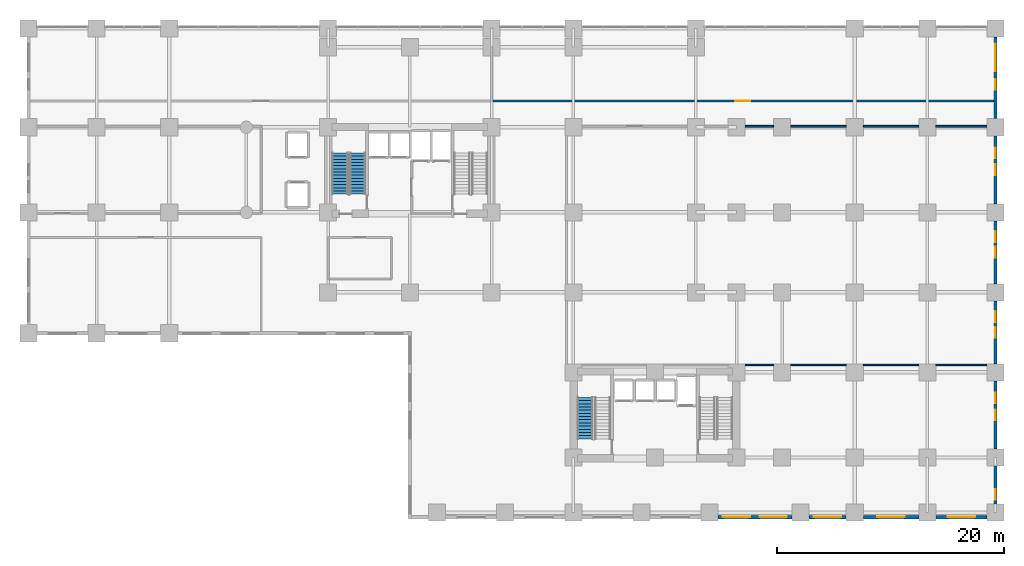
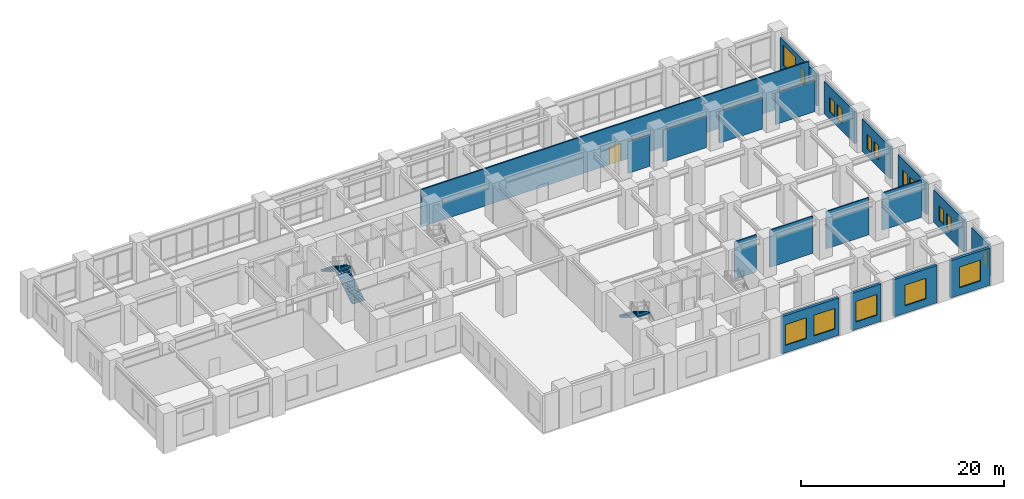
# One storey, part 18 of 22: 19 walls, 16 windows, 3 stair flights, 1 door, 17 openings, 2 elements without a shape of their own.
"""IFC4 building model written with IfcOpenShell, lengths in metres."""

from ifc_helpers import new_model, si_unit, direction, frame, frame_2d, origin, place, context, subcontext, project, spatial, polyline, rectangle, outline, extrude, material, layer, layer_set, type_object, element, fill, aggregate, save


model = new_model("IFC4")

# Units and contexts
model_context = context("Model", 3, precision=1e-05, world=origin(), true_north=direction((0.0, 1.0)))
body_context = subcontext(model_context, "Body", "Model", "MODEL_VIEW")
ifc_project = project(units=[si_unit("LENGTHUNIT", "METRE"), si_unit("AREAUNIT", "SQUARE_METRE"), si_unit("VOLUMEUNIT", "CUBIC_METRE"), si_unit("PLANEANGLEUNIT", "RADIAN"), si_unit("MASSUNIT", "GRAM", prefix="KILO")], contexts=[model_context])

# Site, building, storey
site_placement = place(None, origin())
site = spatial("IfcSite", under=ifc_project, at=site_placement, CompositionType="ELEMENT")
building_placement = place(site_placement, origin())
building = spatial("IfcBuilding", under=site, at=building_placement, Name="Kaliganga Portal Commons", CompositionType="ELEMENT")
storey_placement = place(building_placement, frame((0.0, 0.0, 10.199951171875)))
storey = spatial("IfcBuildingStorey", under=building, at=storey_placement, Name="L02", CompositionType="ELEMENT", Elevation=10.199951171875)

# Wall, openings, windows
ifc_material_1 = material(Name="Precast concrete C40/50", Category="concrete")
ifc_layer_1 = layer(ifc_material_1, 0.300048828125)
ifc_layer_set_1 = layer_set([ifc_layer_1], Name="Precast concrete C40/50")
wall_type_1 = type_object("IfcWallType", Name="WL-EXT-POD-300", PredefinedType="STANDARD", material=ifc_layer_set_1)
wall_1_placement = place(storey_placement, frame((55.2490234375, 1.800048828125, 0.0), z_axis=(0.0, 0.0, 1.0), x_axis=(-1.0, 0.0, 0.0)))
wall_1 = element("IfcWall", 1, at=wall_1_placement, inside=storey, type_object=wall_type_1, Name="Exterior Envelope Wall L02 P1-E00-S6", PredefinedType="STANDARD", context=body_context, shape_type="SweptSolid", body=[
    extrude(rectangle(XDim=6.498046875, YDim=0.300048828125, at=frame_2d((3.2490234375, 0.0))), origin(), (0.0, 0.0, 1.0), 4.5),
])
opening_1_placement = place(wall_1_placement, frame((0.424560546875, 0.0, 0.89990234375)))
opening_1 = element("IfcOpeningElement", 2, at=opening_1_placement, cuts=wall_1, Name="Opening W-05", PredefinedType="OPENING", context=body_context, shape_type="SweptSolid", body=[
    extrude(rectangle(XDim=2.39990234375, YDim=2.5, at=frame_2d((1.199951171875, 1.25))), frame((0.0, 0.16015625, 0.0), z_axis=(0.0, -1.0, 0.0), x_axis=(1.0, 0.0, 0.0)), (0.0, 0.0, 1.0), 0.320068359375),
])
opening_2_placement = place(wall_1_placement, frame((3.673583984375, 0.0, 0.89990234375)))
opening_2 = element("IfcOpeningElement", 3, at=opening_2_placement, cuts=wall_1, Name="Opening W-05", PredefinedType="OPENING", context=body_context, shape_type="SweptSolid", body=[
    extrude(rectangle(XDim=2.39990234375, YDim=2.5, at=frame_2d((1.199951171875, 1.25))), frame((0.0, 0.16015625, 0.0), z_axis=(0.0, -1.0, 0.0), x_axis=(1.0, 0.0, 0.0)), (0.0, 0.0, 1.0), 0.320068359375),
])
ifc_material_2 = material(Name="Thermally Broken Aluminium and Low-E Double Glazing", Category="aluminium")
window_type_1 = type_object("IfcWindowType", Name="WIN-POD-2400", PartitioningType="TRIPLE_PANEL_VERTICAL", PredefinedType="WINDOW", material=ifc_material_2)
window_1_placement = place(opening_1_placement, origin())
window_1 = element("IfcWindow", 4, at=window_1_placement, inside=storey, type_object=window_type_1, Name="Facade Window L02-P1E00S6-00", OverallHeight=2.5, OverallWidth=2.39990234375, PartitioningType="SINGLE_PANEL", PredefinedType="WINDOW", context=body_context, shape_type="SweptSolid", body=[
    extrude(rectangle(XDim=2.39990234375, YDim=2.5, at=frame_2d((1.199951171875, 1.25))), frame((0.0, 0.030029296875, 0.0), z_axis=(0.0, -1.0, 0.0), x_axis=(1.0, 0.0, 0.0)), (0.0, 0.0, 1.0), 0.06005859375),
])
fill(opening_1, window_1)
window_2_placement = place(opening_2_placement, origin())
window_2 = element("IfcWindow", 5, at=window_2_placement, inside=storey, type_object=window_type_1, Name="Facade Window L02-P1E00S6-01", OverallHeight=2.5, OverallWidth=2.39990234375, PartitioningType="SINGLE_PANEL", PredefinedType="WINDOW", context=body_context, shape_type="SweptSolid", body=[
    extrude(rectangle(XDim=2.39990234375, YDim=2.5, at=frame_2d((1.199951171875, 1.25))), frame((0.0, 0.030029296875, 0.0), z_axis=(0.0, -1.0, 0.0), x_axis=(1.0, 0.0, 0.0)), (0.0, 0.0, 1.0), 0.06005859375),
])
fill(opening_2, window_2)

# Wall, opening, window
wall_2_placement = place(storey_placement, frame((60.049072265625, 1.800048828125, 0.0), z_axis=(0.0, 0.0, 1.0), x_axis=(-1.0, 0.0, 0.0)))
wall_2 = element("IfcWall", 6, at=wall_2_placement, inside=storey, type_object=wall_type_1, Name="Exterior Envelope Wall L02 P1-E00-S7", PredefinedType="STANDARD", context=body_context, shape_type="SweptSolid", body=[
    extrude(rectangle(XDim=3.298095703125, YDim=0.300048828125, at=frame_2d((1.64892578125, 0.0))), origin(), (0.0, 0.0, 1.0), 4.5),
])
opening_3_placement = place(wall_2_placement, frame((0.448974609375, 0.0, 0.89990234375)))
opening_3 = element("IfcOpeningElement", 7, at=opening_3_placement, cuts=wall_2, Name="Opening W-05", PredefinedType="OPENING", context=body_context, shape_type="SweptSolid", body=[
    extrude(rectangle(XDim=2.39990234375, YDim=2.5, at=frame_2d((1.199951171875, 1.25))), frame((0.0, 0.16015625, 0.0), z_axis=(0.0, -1.0, 0.0), x_axis=(1.0, 0.0, 0.0)), (0.0, 0.0, 1.0), 0.320068359375),
])
window_3_placement = place(opening_3_placement, origin())
window_3 = element("IfcWindow", 8, at=window_3_placement, inside=storey, type_object=window_type_1, Name="Facade Window L02-P1E00S7-00", OverallHeight=2.5, OverallWidth=2.39990234375, PartitioningType="SINGLE_PANEL", PredefinedType="WINDOW", context=body_context, shape_type="SweptSolid", body=[
    extrude(rectangle(XDim=2.39990234375, YDim=2.5, at=frame_2d((1.199951171875, 1.25))), frame((0.0, 0.030029296875, 0.0), z_axis=(0.0, -1.0, 0.0), x_axis=(1.0, 0.0, 0.0)), (0.0, 0.0, 1.0), 0.06005859375),
])
fill(opening_3, window_3)

wall_3_placement = place(storey_placement, frame((66.448974609375, 1.800048828125, 0.0), z_axis=(0.0, 0.0, 1.0), x_axis=(-1.0, 0.0, 0.0)))
wall_3 = element("IfcWall", 9, at=wall_3_placement, inside=storey, type_object=wall_type_1, Name="Exterior Envelope Wall L02 P1-E00-S8", PredefinedType="STANDARD", context=body_context, shape_type="SweptSolid", body=[
    extrude(rectangle(XDim=4.89794921875, YDim=0.300048828125, at=frame_2d((2.448974609375, 0.0))), origin(), (0.0, 0.0, 1.0), 4.5),
])
opening_4_placement = place(wall_3_placement, frame((1.2490234375, 0.0, 0.89990234375)))
opening_4 = element("IfcOpeningElement", 10, at=opening_4_placement, cuts=wall_3, Name="Opening W-05", PredefinedType="OPENING", context=body_context, shape_type="SweptSolid", body=[
    extrude(rectangle(XDim=2.39990234375, YDim=2.5, at=frame_2d((1.199951171875, 1.25))), frame((0.0, 0.16015625, 0.0), z_axis=(0.0, -1.0, 0.0), x_axis=(1.0, 0.0, 0.0)), (0.0, 0.0, 1.0), 0.320068359375),
])
window_4_placement = place(opening_4_placement, origin())
window_4 = element("IfcWindow", 11, at=window_4_placement, inside=storey, type_object=window_type_1, Name="Facade Window L02-P1E00S8-00", OverallHeight=2.5, OverallWidth=2.39990234375, PartitioningType="SINGLE_PANEL", PredefinedType="WINDOW", context=body_context, shape_type="SweptSolid", body=[
    extrude(rectangle(XDim=2.39990234375, YDim=2.5, at=frame_2d((1.199951171875, 1.25))), frame((0.0, 0.030029296875, 0.0), z_axis=(0.0, -1.0, 0.0), x_axis=(1.0, 0.0, 0.0)), (0.0, 0.0, 1.0), 0.06005859375),
])
fill(opening_4, window_4)

wall_4_placement = place(storey_placement, frame((72.448974609375, 1.800048828125, 0.0), z_axis=(0.0, 0.0, 1.0), x_axis=(-1.0, 0.0, 0.0)))
wall_4 = element("IfcWall", 12, at=wall_4_placement, inside=storey, type_object=wall_type_1, Name="Exterior Envelope Wall L02 P1-E00-S9", PredefinedType="STANDARD", context=body_context, shape_type="SweptSolid", body=[
    extrude(rectangle(XDim=4.498046875, YDim=0.300048828125, at=frame_2d((2.2490234375, 0.0))), origin(), (0.0, 0.0, 1.0), 4.5),
])
opening_5_placement = place(wall_4_placement, frame((1.049072265625, 0.0, 0.89990234375)))
opening_5 = element("IfcOpeningElement", 13, at=opening_5_placement, cuts=wall_4, Name="Opening W-05", PredefinedType="OPENING", context=body_context, shape_type="SweptSolid", body=[
    extrude(rectangle(XDim=2.39990234375, YDim=2.5, at=frame_2d((1.199951171875, 1.25))), frame((0.0, 0.16015625, 0.0), z_axis=(0.0, -1.0, 0.0), x_axis=(1.0, 0.0, 0.0)), (0.0, 0.0, 1.0), 0.320068359375),
])
window_5_placement = place(opening_5_placement, origin())
window_5 = element("IfcWindow", 14, at=window_5_placement, inside=storey, type_object=window_type_1, Name="Facade Window L02-P1E00S9-00", OverallHeight=2.5, OverallWidth=2.39990234375, PartitioningType="SINGLE_PANEL", PredefinedType="WINDOW", context=body_context, shape_type="SweptSolid", body=[
    extrude(rectangle(XDim=2.39990234375, YDim=2.5, at=frame_2d((1.199951171875, 1.25))), frame((0.0, 0.030029296875, 0.0), z_axis=(0.0, -1.0, 0.0), x_axis=(1.0, 0.0, 0.0)), (0.0, 0.0, 1.0), 0.06005859375),
])
fill(opening_5, window_5)

wall_5_placement = place(storey_placement, frame((73.199951171875, 6.299072265625, 0.0), z_axis=(0.0, 0.0, 1.0), x_axis=(0.0, -1.0, 0.0)))
wall_5 = element("IfcWall", 15, at=wall_5_placement, inside=storey, type_object=wall_type_1, Name="Exterior Envelope Wall L02 P1-E01-S1", PredefinedType="STANDARD", context=body_context, shape_type="SweptSolid", body=[
    extrude(rectangle(XDim=3.34814453125, YDim=0.300048828125, at=frame_2d((1.674072265625, 0.0))), origin(), (0.0, 0.0, 1.0), 3.900146484375),
])
opening_6_placement = place(wall_5_placement, frame((2.029296875, 0.0, 0.89990234375)))
opening_6 = element("IfcOpeningElement", 16, at=opening_6_placement, cuts=wall_5, Name="Opening W-04", PredefinedType="OPENING", context=body_context, shape_type="SweptSolid", body=[
    extrude(rectangle(XDim=0.949951171875, YDim=1.75, at=frame_2d((0.47509765625, 0.875))), frame((0.0, 0.16015625, 0.0), z_axis=(0.0, -1.0, 0.0), x_axis=(1.0, 0.0, 0.0)), (0.0, 0.0, 1.0), 0.320068359375),
])
window_type_2 = type_object("IfcWindowType", Name="WIN-NARROW-950", PartitioningType="SINGLE_PANEL", PredefinedType="WINDOW", material=ifc_material_2)
window_6_placement = place(opening_6_placement, origin())
window_6 = element("IfcWindow", 17, at=window_6_placement, inside=storey, type_object=window_type_2, Name="Facade Window L02-P1E01S1-N2", OverallHeight=1.75, OverallWidth=0.949951171875, PartitioningType="SINGLE_PANEL", PredefinedType="WINDOW", context=body_context, shape_type="SweptSolid", body=[
    extrude(rectangle(XDim=0.949951171875, YDim=1.75, at=frame_2d((0.47509765625, 0.875))), frame((0.0, 0.030029296875, 0.0), z_axis=(0.0, -1.0, 0.0), x_axis=(1.0, 0.0, 0.0)), (0.0, 0.0, 1.0), 0.06005859375),
])
fill(opening_6, window_6)

# Wall, openings, windows
wall_6_placement = place(storey_placement, frame((73.199951171875, 13.799072265625, 0.0), z_axis=(0.0, 0.0, 1.0), x_axis=(0.0, -1.0, 0.0)))
wall_6 = element("IfcWall", 18, at=wall_6_placement, inside=storey, type_object=wall_type_1, Name="Exterior Envelope Wall L02 P1-E01-S2", PredefinedType="STANDARD", context=body_context, shape_type="SweptSolid", body=[
    extrude(rectangle(XDim=5.998046875, YDim=0.300048828125, at=frame_2d((2.9990234375, 0.0))), origin(), (0.0, 0.0, 1.0), 3.900146484375),
])
opening_7_placement = place(wall_6_placement, frame((2.52392578125, 0.0, 0.89990234375)))
opening_7 = element("IfcOpeningElement", 19, at=opening_7_placement, cuts=wall_6, Name="Opening W-04", PredefinedType="OPENING", context=body_context, shape_type="SweptSolid", body=[
    extrude(rectangle(XDim=0.949951171875, YDim=1.75, at=frame_2d((0.47509765625, 0.875))), frame((0.0, 0.16015625, 0.0), z_axis=(0.0, -1.0, 0.0), x_axis=(1.0, 0.0, 0.0)), (0.0, 0.0, 1.0), 0.320068359375),
])
opening_8_placement = place(wall_6_placement, frame((1.03662109375, 0.0, 0.89990234375)))
opening_8 = element("IfcOpeningElement", 20, at=opening_8_placement, cuts=wall_6, Name="Opening W-04", PredefinedType="OPENING", context=body_context, shape_type="SweptSolid", body=[
    extrude(rectangle(XDim=0.949951171875, YDim=1.75, at=frame_2d((0.47509765625, 0.875))), frame((0.0, 0.16015625, 0.0), z_axis=(0.0, -1.0, 0.0), x_axis=(1.0, 0.0, 0.0)), (0.0, 0.0, 1.0), 0.320068359375),
])
window_7_placement = place(opening_7_placement, origin())
window_7 = element("IfcWindow", 21, at=window_7_placement, inside=storey, type_object=window_type_2, Name="Facade Window L02-P1E01S2-N0", OverallHeight=1.75, OverallWidth=0.949951171875, PartitioningType="SINGLE_PANEL", PredefinedType="WINDOW", context=body_context, shape_type="SweptSolid", body=[
    extrude(rectangle(XDim=0.949951171875, YDim=1.75, at=frame_2d((0.47509765625, 0.875))), frame((0.0, 0.030029296875, 0.0), z_axis=(0.0, -1.0, 0.0), x_axis=(1.0, 0.0, 0.0)), (0.0, 0.0, 1.0), 0.06005859375),
])
fill(opening_7, window_7)
window_8_placement = place(opening_8_placement, origin())
window_8 = element("IfcWindow", 22, at=window_8_placement, inside=storey, type_object=window_type_2, Name="Facade Window L02-P1E01S2-N1", OverallHeight=1.75, OverallWidth=0.949951171875, PartitioningType="SINGLE_PANEL", PredefinedType="WINDOW", context=body_context, shape_type="SweptSolid", body=[
    extrude(rectangle(XDim=0.949951171875, YDim=1.75, at=frame_2d((0.47509765625, 0.875))), frame((0.0, 0.030029296875, 0.0), z_axis=(0.0, -1.0, 0.0), x_axis=(1.0, 0.0, 0.0)), (0.0, 0.0, 1.0), 0.06005859375),
])
fill(opening_8, window_8)

wall_7_placement = place(storey_placement, frame((73.199951171875, 20.84912109375, 0.0), z_axis=(0.0, 0.0, 1.0), x_axis=(0.0, -1.0, 0.0)))
wall_7 = element("IfcWall", 23, at=wall_7_placement, inside=storey, type_object=wall_type_1, Name="Exterior Envelope Wall L02 P1-E01-S3", PredefinedType="STANDARD", context=body_context, shape_type="SweptSolid", body=[
    extrude(rectangle(XDim=5.548095703125, YDim=0.300048828125, at=frame_2d((2.77392578125, 0.0))), origin(), (0.0, 0.0, 1.0), 3.900146484375),
])
opening_9_placement = place(wall_7_placement, frame((2.299072265625, 0.0, 0.89990234375)))
opening_9 = element("IfcOpeningElement", 24, at=opening_9_placement, cuts=wall_7, Name="Opening W-04", PredefinedType="OPENING", context=body_context, shape_type="SweptSolid", body=[
    extrude(rectangle(XDim=0.949951171875, YDim=1.75, at=frame_2d((0.47509765625, 0.875))), frame((0.0, 0.16015625, 0.0), z_axis=(0.0, -1.0, 0.0), x_axis=(1.0, 0.0, 0.0)), (0.0, 0.0, 1.0), 0.320068359375),
])
opening_10_placement = place(wall_7_placement, frame((0.923095703125, 0.0, 0.89990234375)))
opening_10 = element("IfcOpeningElement", 25, at=opening_10_placement, cuts=wall_7, Name="Opening W-04", PredefinedType="OPENING", context=body_context, shape_type="SweptSolid", body=[
    extrude(rectangle(XDim=0.949951171875, YDim=1.75, at=frame_2d((0.47509765625, 0.875))), frame((0.0, 0.16015625, 0.0), z_axis=(0.0, -1.0, 0.0), x_axis=(1.0, 0.0, 0.0)), (0.0, 0.0, 1.0), 0.320068359375),
])
window_9_placement = place(opening_9_placement, origin())
window_9 = element("IfcWindow", 26, at=window_9_placement, inside=storey, type_object=window_type_2, Name="Facade Window L02-P1E01S3-N0", OverallHeight=1.75, OverallWidth=0.949951171875, PartitioningType="SINGLE_PANEL", PredefinedType="WINDOW", context=body_context, shape_type="SweptSolid", body=[
    extrude(rectangle(XDim=0.949951171875, YDim=1.75, at=frame_2d((0.47509765625, 0.875))), frame((0.0, 0.030029296875, 0.0), z_axis=(0.0, -1.0, 0.0), x_axis=(1.0, 0.0, 0.0)), (0.0, 0.0, 1.0), 0.06005859375),
])
fill(opening_9, window_9)
window_10_placement = place(opening_10_placement, origin())
window_10 = element("IfcWindow", 27, at=window_10_placement, inside=storey, type_object=window_type_2, Name="Facade Window L02-P1E01S3-N1", OverallHeight=1.75, OverallWidth=0.949951171875, PartitioningType="SINGLE_PANEL", PredefinedType="WINDOW", context=body_context, shape_type="SweptSolid", body=[
    extrude(rectangle(XDim=0.949951171875, YDim=1.75, at=frame_2d((0.47509765625, 0.875))), frame((0.0, 0.030029296875, 0.0), z_axis=(0.0, -1.0, 0.0), x_axis=(1.0, 0.0, 0.0)), (0.0, 0.0, 1.0), 0.06005859375),
])
fill(opening_10, window_10)

wall_8_placement = place(storey_placement, frame((73.199951171875, 27.89892578125, 0.0), z_axis=(0.0, 0.0, 1.0), x_axis=(0.0, -1.0, 0.0)))
wall_8 = element("IfcWall", 28, at=wall_8_placement, inside=storey, type_object=wall_type_1, Name="Exterior Envelope Wall L02 P1-E01-S4", PredefinedType="STANDARD", context=body_context, shape_type="SweptSolid", body=[
    extrude(rectangle(XDim=5.5478515625, YDim=0.300048828125, at=frame_2d((2.77392578125, 0.0))), origin(), (0.0, 0.0, 1.0), 3.900146484375),
])
opening_11_placement = place(wall_8_placement, frame((2.299072265625, 0.0, 0.89990234375)))
opening_11 = element("IfcOpeningElement", 29, at=opening_11_placement, cuts=wall_8, Name="Opening W-04", PredefinedType="OPENING", context=body_context, shape_type="SweptSolid", body=[
    extrude(rectangle(XDim=0.949951171875, YDim=1.75, at=frame_2d((0.47509765625, 0.875))), frame((0.0, 0.16015625, 0.0), z_axis=(0.0, -1.0, 0.0), x_axis=(1.0, 0.0, 0.0)), (0.0, 0.0, 1.0), 0.320068359375),
])
opening_12_placement = place(wall_8_placement, frame((0.923095703125, 0.0, 0.89990234375)))
opening_12 = element("IfcOpeningElement", 30, at=opening_12_placement, cuts=wall_8, Name="Opening W-04", PredefinedType="OPENING", context=body_context, shape_type="SweptSolid", body=[
    extrude(rectangle(XDim=0.949951171875, YDim=1.75, at=frame_2d((0.47509765625, 0.875))), frame((0.0, 0.16015625, 0.0), z_axis=(0.0, -1.0, 0.0), x_axis=(1.0, 0.0, 0.0)), (0.0, 0.0, 1.0), 0.320068359375),
])
window_11_placement = place(opening_11_placement, origin())
window_11 = element("IfcWindow", 31, at=window_11_placement, inside=storey, type_object=window_type_2, Name="Facade Window L02-P1E01S4-N0", OverallHeight=1.75, OverallWidth=0.949951171875, PartitioningType="SINGLE_PANEL", PredefinedType="WINDOW", context=body_context, shape_type="SweptSolid", body=[
    extrude(rectangle(XDim=0.949951171875, YDim=1.75, at=frame_2d((0.47509765625, 0.875))), frame((0.0, 0.030029296875, 0.0), z_axis=(0.0, -1.0, 0.0), x_axis=(1.0, 0.0, 0.0)), (0.0, 0.0, 1.0), 0.06005859375),
])
fill(opening_11, window_11)
window_12_placement = place(opening_12_placement, origin())
window_12 = element("IfcWindow", 32, at=window_12_placement, inside=storey, type_object=window_type_2, Name="Facade Window L02-P1E01S4-N1", OverallHeight=1.75, OverallWidth=0.949951171875, PartitioningType="SINGLE_PANEL", PredefinedType="WINDOW", context=body_context, shape_type="SweptSolid", body=[
    extrude(rectangle(XDim=0.949951171875, YDim=1.75, at=frame_2d((0.47509765625, 0.875))), frame((0.0, 0.030029296875, 0.0), z_axis=(0.0, -1.0, 0.0), x_axis=(1.0, 0.0, 0.0)), (0.0, 0.0, 1.0), 0.06005859375),
])
fill(opening_12, window_12)

wall_9_placement = place(storey_placement, frame((73.199951171875, 35.39892578125, 0.0), z_axis=(0.0, 0.0, 1.0), x_axis=(0.0, -1.0, 0.0)))
wall_9 = element("IfcWall", 33, at=wall_9_placement, inside=storey, type_object=wall_type_1, Name="Exterior Envelope Wall L02 P1-E01-S5", PredefinedType="STANDARD", context=body_context, shape_type="SweptSolid", body=[
    extrude(rectangle(XDim=5.998046875, YDim=0.300048828125, at=frame_2d((2.9990234375, 0.0))), origin(), (0.0, 0.0, 1.0), 3.900146484375),
])
opening_13_placement = place(wall_9_placement, frame((2.52392578125, 0.0, 0.89990234375)))
opening_13 = element("IfcOpeningElement", 34, at=opening_13_placement, cuts=wall_9, Name="Opening W-04", PredefinedType="OPENING", context=body_context, shape_type="SweptSolid", body=[
    extrude(rectangle(XDim=0.949951171875, YDim=1.75, at=frame_2d((0.47509765625, 0.875))), frame((0.0, 0.16015625, 0.0), z_axis=(0.0, -1.0, 0.0), x_axis=(1.0, 0.0, 0.0)), (0.0, 0.0, 1.0), 0.320068359375),
])
opening_14_placement = place(wall_9_placement, frame((1.03662109375, 0.0, 0.89990234375)))
opening_14 = element("IfcOpeningElement", 35, at=opening_14_placement, cuts=wall_9, Name="Opening W-04", PredefinedType="OPENING", context=body_context, shape_type="SweptSolid", body=[
    extrude(rectangle(XDim=0.949951171875, YDim=1.75, at=frame_2d((0.47509765625, 0.875))), frame((0.0, 0.16015625, 0.0), z_axis=(0.0, -1.0, 0.0), x_axis=(1.0, 0.0, 0.0)), (0.0, 0.0, 1.0), 0.320068359375),
])
window_13_placement = place(opening_13_placement, origin())
window_13 = element("IfcWindow", 36, at=window_13_placement, inside=storey, type_object=window_type_2, Name="Facade Window L02-P1E01S5-N0", OverallHeight=1.75, OverallWidth=0.949951171875, PartitioningType="SINGLE_PANEL", PredefinedType="WINDOW", context=body_context, shape_type="SweptSolid", body=[
    extrude(rectangle(XDim=0.949951171875, YDim=1.75, at=frame_2d((0.47509765625, 0.875))), frame((0.0, 0.030029296875, 0.0), z_axis=(0.0, -1.0, 0.0), x_axis=(1.0, 0.0, 0.0)), (0.0, 0.0, 1.0), 0.06005859375),
])
fill(opening_13, window_13)
window_14_placement = place(opening_14_placement, origin())
window_14 = element("IfcWindow", 37, at=window_14_placement, inside=storey, type_object=window_type_2, Name="Facade Window L02-P1E01S5-N1", OverallHeight=1.75, OverallWidth=0.949951171875, PartitioningType="SINGLE_PANEL", PredefinedType="WINDOW", context=body_context, shape_type="SweptSolid", body=[
    extrude(rectangle(XDim=0.949951171875, YDim=1.75, at=frame_2d((0.47509765625, 0.875))), frame((0.0, 0.030029296875, 0.0), z_axis=(0.0, -1.0, 0.0), x_axis=(1.0, 0.0, 0.0)), (0.0, 0.0, 1.0), 0.06005859375),
])
fill(opening_14, window_14)

wall_10_placement = place(storey_placement, frame((73.199951171875, 44.09912109375, 0.0), z_axis=(0.0, 0.0, 1.0), x_axis=(0.0, -1.0, 0.0)))
wall_10 = element("IfcWall", 38, at=wall_10_placement, inside=storey, type_object=wall_type_1, Name="Exterior Envelope Wall L02 P1-E01-S6", PredefinedType="STANDARD", context=body_context, shape_type="SweptSolid", body=[
    extrude(rectangle(XDim=7.1982421875, YDim=0.300048828125, at=frame_2d((3.59912109375, 0.0))), origin(), (0.0, 0.0, 1.0), 3.900146484375),
])
opening_15_placement = place(wall_10_placement, frame((0.599609375, 0.0, 0.89990234375)))
opening_15 = element("IfcOpeningElement", 39, at=opening_15_placement, cuts=wall_10, Name="Opening W-05", PredefinedType="OPENING", context=body_context, shape_type="SweptSolid", body=[
    extrude(rectangle(XDim=2.39990234375, YDim=2.5, at=frame_2d((1.199951171875, 1.25))), frame((0.0, 0.16015625, 0.0), z_axis=(0.0, -1.0, 0.0), x_axis=(1.0, 0.0, 0.0)), (0.0, 0.0, 1.0), 0.320068359375),
])
opening_16_placement = place(wall_10_placement, frame((3.69970703125, 0.0, 0.89990234375)))
opening_16 = element("IfcOpeningElement", 40, at=opening_16_placement, cuts=wall_10, Name="Opening W-04", PredefinedType="OPENING", context=body_context, shape_type="SweptSolid", body=[
    extrude(rectangle(XDim=0.949951171875, YDim=1.75, at=frame_2d((0.47509765625, 0.875))), frame((0.0, 0.16015625, 0.0), z_axis=(0.0, -1.0, 0.0), x_axis=(1.0, 0.0, 0.0)), (0.0, 0.0, 1.0), 0.320068359375),
])
window_15_placement = place(opening_16_placement, origin())
window_15 = element("IfcWindow", 41, at=window_15_placement, inside=storey, type_object=window_type_2, Name="Facade Window L02-P1E01S6-N6", OverallHeight=1.75, OverallWidth=0.949951171875, PartitioningType="SINGLE_PANEL", PredefinedType="WINDOW", context=body_context, shape_type="SweptSolid", body=[
    extrude(rectangle(XDim=0.949951171875, YDim=1.75, at=frame_2d((0.47509765625, 0.875))), frame((0.0, 0.030029296875, 0.0), z_axis=(0.0, -1.0, 0.0), x_axis=(1.0, 0.0, 0.0)), (0.0, 0.0, 1.0), 0.06005859375),
])
fill(opening_16, window_15)
window_16_placement = place(opening_15_placement, origin())
window_16 = element("IfcWindow", 42, at=window_16_placement, inside=storey, type_object=window_type_1, Name="Facade Window L02-P1E01S6-00", OverallHeight=2.5, OverallWidth=2.39990234375, PartitioningType="SINGLE_PANEL", PredefinedType="WINDOW", context=body_context, shape_type="SweptSolid", body=[
    extrude(rectangle(XDim=2.39990234375, YDim=2.5, at=frame_2d((1.199951171875, 1.25))), frame((0.0, 0.030029296875, 0.0), z_axis=(0.0, -1.0, 0.0), x_axis=(1.0, 0.0, 0.0)), (0.0, 0.0, 1.0), 0.06005859375),
])
fill(opening_15, window_16)

# Wall, opening, door
ifc_material_3 = material(Name="Fire-Rated Gypsum Board on Steel Stud", Category="steel")
ifc_layer_2 = layer(ifc_material_3, 0.14990234375)
ifc_layer_set_2 = layer_set([ifc_layer_2], Name="Fire-Rated Gypsum Board on Steel Stud")
wall_type_2 = type_object("IfcWallType", Name="WL-PART-CORR-150", PredefinedType="PARTITIONING", material=ifc_layer_set_2)
wall_11_placement = place(storey_placement, frame((28.800048828125, 38.4599609375, 0.0), z_axis=(0.0, 0.0, 1.0), x_axis=(1.0, 0.0, 0.0)))
wall_11 = element("IfcWall", 43, at=wall_11_placement, inside=storey, type_object=wall_type_2, Name="Interior Partition L02-001", PredefinedType="PARTITIONING", context=body_context, shape_type="SweptSolid", body=[
    extrude(rectangle(XDim=44.26806640625, YDim=0.14990234375, at=frame_2d((22.134033203125, 0.0))), origin(), (0.0, 0.0, 1.0), 4.5),
])
opening_17_placement = place(wall_11_placement, frame((21.48388671875, 0.0, 0.0)))
opening_17 = element("IfcOpeningElement", 44, at=opening_17_placement, cuts=wall_11, Name="Opening RD-03", PredefinedType="OPENING", context=body_context, shape_type="SweptSolid", body=[
    extrude(rectangle(XDim=1.300048828125, YDim=2.1201171875, at=frame_2d((0.64990234375, 1.06005859375))), frame((0.0, 0.0849609375, 0.0), z_axis=(0.0, -1.0, 0.0), x_axis=(1.0, 0.0, 0.0)), (0.0, 0.0, 1.0), 0.169921875),
])
ifc_material_4 = material(Name="Glazed Timber Seminar Vision Door", Category="wood")
door_type = type_object("IfcDoorType", Name="DR-STUDY-1300", OperationType="DOUBLE_DOOR_SINGLE_SWING", PredefinedType="DOOR", material=ifc_material_4)
door_placement = place(opening_17_placement, origin())
door = element("IfcDoor", 45, at=door_placement, inside=storey, type_object=door_type, Name="Interior Door L02-LIB_E", OperationType="DOUBLE_DOOR_SINGLE_SWING", OverallHeight=2.1201171875, OverallWidth=1.300048828125, PredefinedType="DOOR", context=body_context, shape_type="SweptSolid", body=[
    extrude(rectangle(XDim=1.300048828125, YDim=2.1201171875, at=frame_2d((0.64990234375, 1.06005859375))), frame((0.0, 0.02490234375, 0.0), z_axis=(0.0, -1.0, 0.0), x_axis=(1.0, 0.0, 0.0)), (0.0, 0.0, 1.0), 0.050048828125),
])
fill(opening_17, door)

# Walls
wall_12_placement = place(storey_placement, frame((51.14990234375, 36.239990234375, 0.0), z_axis=(0.0, 0.0, 1.0), x_axis=(1.0, 0.0, 0.0)))
element("IfcWall", 46, at=wall_12_placement, inside=storey, type_object=wall_type_2, Name="Interior Partition L02-005", PredefinedType="PARTITIONING", context=body_context, shape_type="SweptSolid", body=[
    extrude(rectangle(XDim=2.5, YDim=0.14990234375, at=frame_2d((1.25, 0.0))), origin(), (0.0, 0.0, 1.0), 3.800048828125),
])
wall_13_placement = place(storey_placement, frame((55.14990234375, 36.239990234375, 0.0), z_axis=(0.0, 0.0, 1.0), x_axis=(1.0, 0.0, 0.0)))
element("IfcWall", 47, at=wall_13_placement, inside=storey, type_object=wall_type_2, Name="Interior Partition L02-006", PredefinedType="PARTITIONING", context=body_context, shape_type="SweptSolid", body=[
    extrude(rectangle(XDim=4.900146484375, YDim=0.14990234375, at=frame_2d((2.4501953125, 0.0))), origin(), (0.0, 0.0, 1.0), 3.800048828125),
])
wall_14_placement = place(storey_placement, frame((61.550048828125, 36.239990234375, 0.0), z_axis=(0.0, 0.0, 1.0), x_axis=(1.0, 0.0, 0.0)))
element("IfcWall", 48, at=wall_14_placement, inside=storey, type_object=wall_type_2, Name="Interior Partition L02-007", PredefinedType="PARTITIONING", context=body_context, shape_type="SweptSolid", body=[
    extrude(rectangle(XDim=4.89990234375, YDim=0.14990234375, at=frame_2d((2.449951171875, 0.0))), origin(), (0.0, 0.0, 1.0), 3.800048828125),
])
wall_15_placement = place(storey_placement, frame((67.949951171875, 36.239990234375, 0.0), z_axis=(0.0, 0.0, 1.0), x_axis=(1.0, 0.0, 0.0)))
element("IfcWall", 49, at=wall_15_placement, inside=storey, type_object=wall_type_2, Name="Interior Partition L02-008", PredefinedType="PARTITIONING", context=body_context, shape_type="SweptSolid", body=[
    extrude(rectangle(XDim=4.5, YDim=0.14990234375, at=frame_2d((2.25, 0.0))), origin(), (0.0, 0.0, 1.0), 3.800048828125),
])
ifc_material_5 = material(Name="Moisture-Resistant Gypsum Partition", Category="gypsum")
ifc_layer_3 = layer(ifc_material_5, 0.114990234375)
ifc_layer_set_3 = layer_set([ifc_layer_3], Name="Moisture-Resistant Gypsum Partition")
wall_type_3 = type_object("IfcWallType", Name="WL-PART-ROOM-115", PredefinedType="PARTITIONING", material=ifc_layer_set_3)
wall_16_placement = place(storey_placement, frame((51.14990234375, 15.199951171875, 0.0), z_axis=(0.0, 0.0, 1.0), x_axis=(1.0, 0.0, 0.0)))
element("IfcWall", 50, at=wall_16_placement, inside=storey, type_object=wall_type_3, Name="Interior Partition L02-025", PredefinedType="PARTITIONING", context=body_context, shape_type="SweptSolid", body=[
    extrude(rectangle(XDim=2.5, YDim=0.114990234375, at=frame_2d((1.25, 0.0))), origin(), (0.0, 0.0, 1.0), 4.5),
])
wall_17_placement = place(storey_placement, frame((55.14990234375, 15.199951171875, 0.0), z_axis=(0.0, 0.0, 1.0), x_axis=(1.0, 0.0, 0.0)))
element("IfcWall", 51, at=wall_17_placement, inside=storey, type_object=wall_type_3, Name="Interior Partition L02-026", PredefinedType="PARTITIONING", context=body_context, shape_type="SweptSolid", body=[
    extrude(rectangle(XDim=4.900146484375, YDim=0.114990234375, at=frame_2d((2.4501953125, 0.0))), origin(), (0.0, 0.0, 1.0), 4.5),
])
wall_18_placement = place(storey_placement, frame((61.550048828125, 15.199951171875, 0.0), z_axis=(0.0, 0.0, 1.0), x_axis=(1.0, 0.0, 0.0)))
element("IfcWall", 52, at=wall_18_placement, inside=storey, type_object=wall_type_3, Name="Interior Partition L02-027", PredefinedType="PARTITIONING", context=body_context, shape_type="SweptSolid", body=[
    extrude(rectangle(XDim=4.89990234375, YDim=0.114990234375, at=frame_2d((2.449951171875, 0.0))), origin(), (0.0, 0.0, 1.0), 4.5),
])
wall_19_placement = place(storey_placement, frame((67.949951171875, 15.199951171875, 0.0), z_axis=(0.0, 0.0, 1.0), x_axis=(1.0, 0.0, 0.0)))
element("IfcWall", 53, at=wall_19_placement, inside=storey, type_object=wall_type_3, Name="Interior Partition L02-028", PredefinedType="PARTITIONING", context=body_context, shape_type="SweptSolid", body=[
    extrude(rectangle(XDim=4.5, YDim=0.114990234375, at=frame_2d((2.25, 0.0))), origin(), (0.0, 0.0, 1.0), 4.5),
])

# Stair, stair flights
ifc_material_6 = material(Name="Concrete C40/50", Category="concrete")
stair_type = type_object("IfcStairType", Name="ST-CORE-DOGLEG", PredefinedType="HALF_TURN_STAIR", material=ifc_material_6)
stair_1_placement = place(storey_placement, origin())
stair_1 = element("IfcStair", 54, at=stair_1_placement, inside=storey, type_object=stair_type, Name="L02 Protected Exit Stair ST-A1", PredefinedType="HALF_TURN_STAIR")
stair_flight_type = type_object("IfcStairFlightType", Name="STF-RC-1400", PredefinedType="STRAIGHT", material=ifc_material_6)
stair_flight_1_placement = place(storey_placement, frame((17.0, 30.25, 0.0), z_axis=(0.0, 0.0, 1.0), x_axis=(0.0, 1.0, 0.0)))
stair_flight_1 = element("IfcStairFlight", 55, at=stair_flight_1_placement, type_object=stair_flight_type, Name="ST-A1 flight 1", NumberOfRisers=14, NumberOfTreads=13, PredefinedType="STRAIGHT", RiserHeight=0.171428571, TreadLength=0.28, context=body_context, shape_type="SweptSolid", body=[
    extrude(outline(polyline([(0.0, 0.0), (0.0, 0.17138671875), (0.280029296875, 0.17138671875), (0.280029296875, 0.3427734375), (0.56005859375, 0.3427734375), (0.56005859375, 0.514404296875), (0.840087890625, 0.514404296875), (0.840087890625, 0.685791015625), (1.1201171875, 0.685791015625), (1.1201171875, 0.857177734375), (1.39990234375, 0.857177734375), (1.39990234375, 1.028564453125), (1.679931640625, 1.028564453125), (1.679931640625, 1.199951171875), (1.9599609375, 1.199951171875), (1.9599609375, 1.371337890625), (2.239990234375, 1.371337890625), (2.239990234375, 1.54296875), (2.52001953125, 1.54296875), (2.52001953125, 1.71435546875), (2.800048828125, 1.71435546875), (2.800048828125, 1.8857421875), (3.080078125, 1.8857421875), (3.080078125, 2.05712890625), (3.360107421875, 2.05712890625), (3.360107421875, 2.228515625), (3.639892578125, 2.228515625), (3.639892578125, 2.39990234375), (3.639892578125, 2.052734375), (0.287109375, 0.0), (0.0, 0.0)])), frame((0.0, 0.699951171875, 0.0), z_axis=(0.0, -1.0, 0.0), x_axis=(1.0, 0.0, 0.0)), (0.0, 0.0, 1.0), 1.39990234375),
])
stair_flight_2_placement = place(storey_placement, frame((15.449951171875, 33.889892578125, 2.400146484375), z_axis=(0.0, 0.0, 1.0), x_axis=(0.0, -1.0, 0.0)))
stair_flight_2 = element("IfcStairFlight", 56, at=stair_flight_2_placement, type_object=stair_flight_type, Name="ST-A1 flight 2", NumberOfRisers=14, NumberOfTreads=13, PredefinedType="STRAIGHT", RiserHeight=0.171428571, TreadLength=0.28, context=body_context, shape_type="SweptSolid", body=[
    extrude(outline(polyline([(0.0, 0.0), (0.0, 0.17138671875), (0.280029296875, 0.17138671875), (0.280029296875, 0.3427734375), (0.56005859375, 0.3427734375), (0.56005859375, 0.514404296875), (0.840087890625, 0.514404296875), (0.840087890625, 0.685791015625), (1.1201171875, 0.685791015625), (1.1201171875, 0.857177734375), (1.39990234375, 0.857177734375), (1.39990234375, 1.028564453125), (1.679931640625, 1.028564453125), (1.679931640625, 1.199951171875), (1.9599609375, 1.199951171875), (1.9599609375, 1.371337890625), (2.239990234375, 1.371337890625), (2.239990234375, 1.54296875), (2.52001953125, 1.54296875), (2.52001953125, 1.71435546875), (2.800048828125, 1.71435546875), (2.800048828125, 1.8857421875), (3.080078125, 1.8857421875), (3.080078125, 2.05712890625), (3.360107421875, 2.05712890625), (3.360107421875, 2.228515625), (3.639892578125, 2.228515625), (3.639892578125, 2.39990234375), (3.639892578125, 2.052734375), (0.287109375, 0.0), (0.0, 0.0)])), frame((0.0, 0.699951171875, 0.0), z_axis=(0.0, -1.0, 0.0), x_axis=(1.0, 0.0, 0.0)), (0.0, 0.0, 1.0), 1.39990234375),
])
aggregate(stair_1, [stair_flight_1, stair_flight_2])

# Stair, stair flight
stair_2_placement = place(storey_placement, origin())
stair_2 = element("IfcStair", 57, at=stair_2_placement, inside=storey, type_object=stair_type, Name="L02 Protected Exit Stair ST-B1", PredefinedType="HALF_TURN_STAIR")
stair_flight_3_placement = place(storey_placement, frame((37.050048828125, 12.340087890625, 2.400146484375), z_axis=(0.0, 0.0, 1.0), x_axis=(0.0, -1.0, 0.0)))
stair_flight_3 = element("IfcStairFlight", 58, at=stair_flight_3_placement, type_object=stair_flight_type, Name="ST-B1 flight 2", NumberOfRisers=14, NumberOfTreads=13, PredefinedType="STRAIGHT", RiserHeight=0.171428571, TreadLength=0.28, context=body_context, shape_type="SweptSolid", body=[
    extrude(outline(polyline([(0.0, 0.0), (0.0, 0.17138671875), (0.280029296875, 0.17138671875), (0.280029296875, 0.3427734375), (0.56005859375, 0.3427734375), (0.56005859375, 0.514404296875), (0.840087890625, 0.514404296875), (0.840087890625, 0.685791015625), (1.1201171875, 0.685791015625), (1.1201171875, 0.857177734375), (1.39990234375, 0.857177734375), (1.39990234375, 1.028564453125), (1.679931640625, 1.028564453125), (1.679931640625, 1.199951171875), (1.9599609375, 1.199951171875), (1.9599609375, 1.371337890625), (2.239990234375, 1.371337890625), (2.239990234375, 1.54296875), (2.52001953125, 1.54296875), (2.52001953125, 1.71435546875), (2.800048828125, 1.71435546875), (2.800048828125, 1.8857421875), (3.080078125, 1.8857421875), (3.080078125, 2.05712890625), (3.360107421875, 2.05712890625), (3.360107421875, 2.228515625), (3.639892578125, 2.228515625), (3.639892578125, 2.39990234375), (3.639892578125, 2.052734375), (0.287109375, 0.0), (0.0, 0.0)])), frame((0.0, 0.699951171875, 0.0), z_axis=(0.0, -1.0, 0.0), x_axis=(1.0, 0.0, 0.0)), (0.0, 0.0, 1.0), 1.39990234375),
])
aggregate(stair_2, [stair_flight_3])

save(model, "model.ifc")
